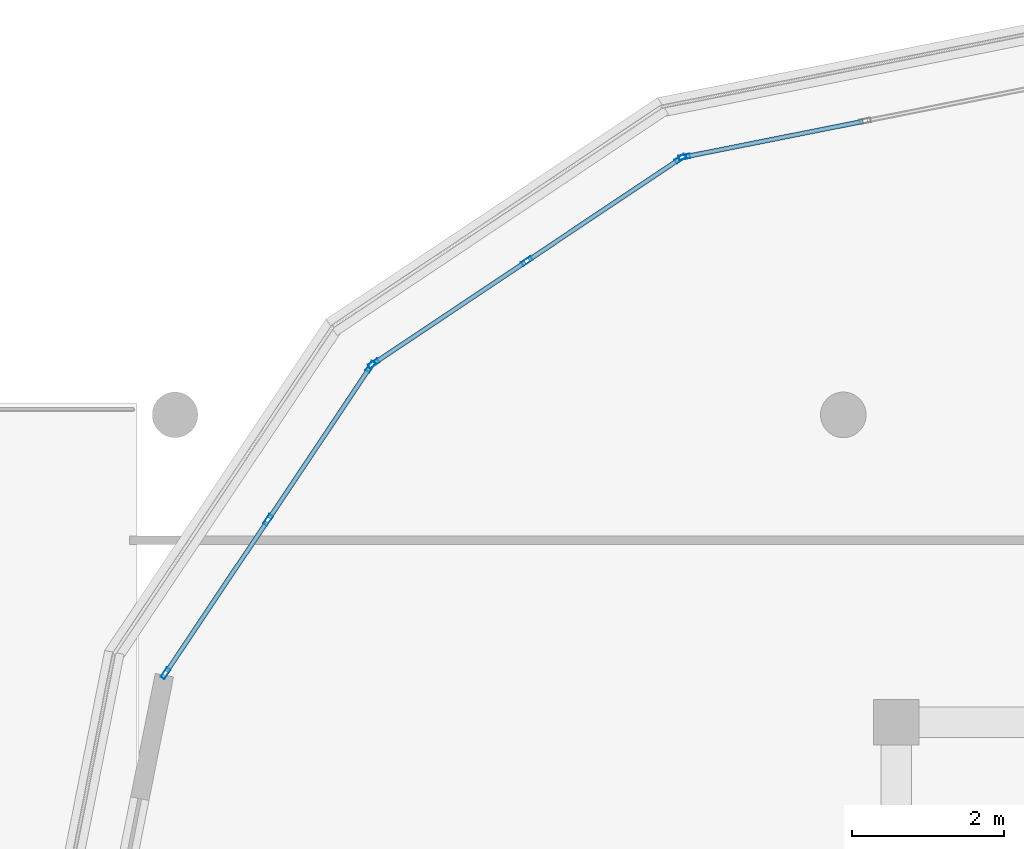
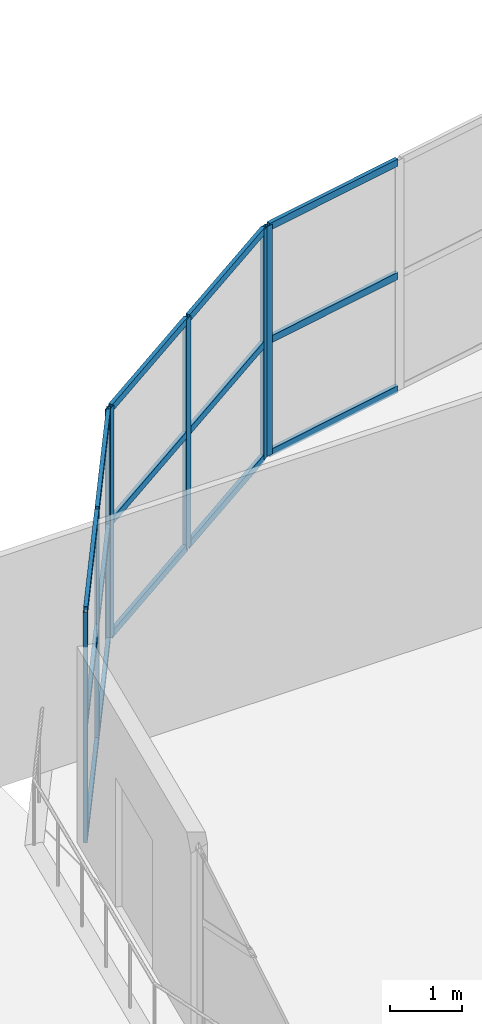
# One storey, part 7 of 50: 22 members, 3 elements without a shape of their own.
"""IFC4 building model written with IfcOpenShell, lengths in metres."""

from ifc_helpers import new_model, si_unit, direction, frame, origin, origin_2d, place, context, subcontext, project, spatial, hollow_rectangle, extrude, material, layer, layer_set, material_profile, profile_set, type_object, element, aggregate, save


model = new_model("IFC4")

# Units and contexts
model_context = context("Model", 3, precision=1e-05, world=origin(), true_north=direction((0.0, 1.0)))
body_context = subcontext(model_context, "Body", "Model", "MODEL_VIEW")
ifc_project = project(units=[si_unit("LENGTHUNIT", "METRE"), si_unit("AREAUNIT", "SQUARE_METRE"), si_unit("VOLUMEUNIT", "CUBIC_METRE"), si_unit("PLANEANGLEUNIT", "RADIAN"), si_unit("MASSUNIT", "GRAM", prefix="KILO")], contexts=[model_context])

# Site, building, storey
site_placement = place(None, origin())
site = spatial("IfcSite", under=ifc_project, at=site_placement, CompositionType="ELEMENT")
building_placement = place(site_placement, origin())
building = spatial("IfcBuilding", under=site, at=building_placement, Name="Zizhar Promenade General Hospital", CompositionType="ELEMENT")
storey_placement = place(building_placement, frame((0.0, 0.0, 30.60009765625)))
storey = spatial("IfcBuildingStorey", under=building, at=storey_placement, Name="L07", CompositionType="ELEMENT", Elevation=30.60009765625)

# Curtain wall, member
ifc_material_1 = material(Name="Anodised aluminium 6063-T6 and low-E glass", Category="aluminium")
ifc_layer = layer(ifc_material_1, 0.159912109375)
ifc_layer_set = layer_set([ifc_layer], Name="Anodised aluminium 6063-T6 and low-E glass")
curtain_wall_type = type_object("IfcCurtainWallType", Name="CW-WARD-ARC", PredefinedType="NOTDEFINED", material=ifc_layer_set)
curtain_wall_1_placement = place(storey_placement, origin())
curtain_wall_1 = element("IfcCurtainWall", 1, at=curtain_wall_1_placement, inside=storey, type_object=curtain_wall_type, Name="Ward Semicircular End Glazing L07-10", PredefinedType="NOTDEFINED")
ifc_material_2 = material(Name="Anodised aluminium 6063-T6", Category="aluminium")
ifc_material_profile_1 = material_profile(ifc_material_2, hollow_rectangle(XDim=0.06005859375, YDim=0.14990234375, WallThickness=0.00390625, at=origin_2d()))
ifc_profile_set_1 = profile_set([ifc_material_profile_1], Name="Anodised aluminium 6063-T6")
member_type_1 = type_object("IfcMemberType", Name="CWM-ALU-150x60", PredefinedType="MULLION", material=ifc_profile_set_1)
member_1_placement = place(storey_placement, frame((36.20751953125, 24.246826171875, 0.0), z_axis=(0.0, 0.0, 1.0), x_axis=(-0.195087259275, 0.980785889615, 0.0)))
member_1 = element("IfcMember", 2, at=member_1_placement, type_object=member_type_1, Name="CW-12 mullion 1", PredefinedType="MULLION", context=body_context, shape_type="SweptSolid", body=[
    extrude(hollow_rectangle(XDim=0.06005859375, YDim=0.14990234375, WallThickness=0.00390625, at=origin_2d()), origin(), (0.0, 0.0, 1.0), 3.89990234375),
])

# Curtain wall, members
curtain_wall_2_placement = place(storey_placement, origin())
curtain_wall_2 = element("IfcCurtainWall", 3, at=curtain_wall_2_placement, inside=storey, type_object=curtain_wall_type, Name="Ward Semicircular End Glazing L07-11", PredefinedType="NOTDEFINED")
member_2_placement = place(storey_placement, frame((32.115478515625, 21.526123046875, 0.0), z_axis=(0.0, 0.0, 1.0), x_axis=(-0.555582352095, 0.831461514468, 0.0)))
member_2 = element("IfcMember", 4, at=member_2_placement, type_object=member_type_1, Name="CW-12 mullion 1", PredefinedType="MULLION", context=body_context, shape_type="SweptSolid", body=[
    extrude(hollow_rectangle(XDim=0.06005859375, YDim=0.14990234375, WallThickness=0.00390625, at=origin_2d()), origin(), (0.0, 0.0, 1.0), 3.89990234375),
])
member_3_placement = place(storey_placement, frame((34.13427734375, 22.875244140625, 0.0), z_axis=(0.0, 0.0, 1.0), x_axis=(-0.555582352095, 0.831461514468, 0.0)))
member_3 = element("IfcMember", 5, at=member_3_placement, type_object=member_type_1, Name="CW-12 mullion 2", PredefinedType="MULLION", context=body_context, shape_type="SweptSolid", body=[
    extrude(hollow_rectangle(XDim=0.06005859375, YDim=0.14990234375, WallThickness=0.00390625, at=origin_2d()), origin(), (0.0, 0.0, 1.0), 3.89990234375),
])
member_4_placement = place(storey_placement, frame((36.1533203125, 24.22412109375, 0.0), z_axis=(0.0, 0.0, 1.0), x_axis=(-0.555582352095, 0.831461514468, 0.0)))
member_4 = element("IfcMember", 6, at=member_4_placement, type_object=member_type_1, Name="CW-12 mullion 3", PredefinedType="MULLION", context=body_context, shape_type="SweptSolid", body=[
    extrude(hollow_rectangle(XDim=0.06005859375, YDim=0.14990234375, WallThickness=0.00390625, at=origin_2d()), origin(), (0.0, 0.0, 1.0), 3.89990234375),
])

curtain_wall_3_placement = place(storey_placement, origin())
curtain_wall_3 = element("IfcCurtainWall", 7, at=curtain_wall_3_placement, inside=storey, type_object=curtain_wall_type, Name="Ward Semicircular End Glazing L07-12", PredefinedType="NOTDEFINED")
member_5_placement = place(storey_placement, frame((29.375732421875, 17.44677734375, 0.0), z_axis=(0.0, 0.0, 1.0), x_axis=(-0.831461514468, 0.555582352095, 0.0)))
member_5 = element("IfcMember", 8, at=member_5_placement, type_object=member_type_1, Name="CW-12 mullion 1", PredefinedType="MULLION", context=body_context, shape_type="SweptSolid", body=[
    extrude(hollow_rectangle(XDim=0.06005859375, YDim=0.14990234375, WallThickness=0.00390625, at=origin_2d()), origin(), (0.0, 0.0, 1.0), 3.89990234375),
])
member_6_placement = place(storey_placement, frame((30.724853515625, 19.465576171875, 0.0), z_axis=(0.0, 0.0, 1.0), x_axis=(-0.831461514468, 0.555582352095, 0.0)))
member_6 = element("IfcMember", 9, at=member_6_placement, type_object=member_type_1, Name="CW-12 mullion 2", PredefinedType="MULLION", context=body_context, shape_type="SweptSolid", body=[
    extrude(hollow_rectangle(XDim=0.06005859375, YDim=0.14990234375, WallThickness=0.00390625, at=origin_2d()), origin(), (0.0, 0.0, 1.0), 3.89990234375),
])
member_7_placement = place(storey_placement, frame((32.07373046875, 21.484619140625, 0.0), z_axis=(0.0, 0.0, 1.0), x_axis=(-0.831461514468, 0.555582352095, 0.0)))
member_7 = element("IfcMember", 10, at=member_7_placement, type_object=member_type_1, Name="CW-12 mullion 3", PredefinedType="MULLION", context=body_context, shape_type="SweptSolid", body=[
    extrude(hollow_rectangle(XDim=0.06005859375, YDim=0.14990234375, WallThickness=0.00390625, at=origin_2d()), origin(), (0.0, 0.0, 1.0), 3.89990234375),
])

# Member
ifc_material_3 = material(Name="Anodised aluminium 6063-T6", Category="aluminium")
ifc_material_profile_2 = material_profile(ifc_material_3, hollow_rectangle(XDim=0.06005859375, YDim=0.1201171875, WallThickness=0.00390625, at=origin_2d()))
ifc_profile_set_2 = profile_set([ifc_material_profile_2], Name="Anodised aluminium 6063-T6")
member_type_2 = type_object("IfcMemberType", Name="CWT-ALU-120x60", PredefinedType="USERDEFINED", material=ifc_profile_set_2)
member_8_placement = place(storey_placement, frame((36.237060546875, 24.252685546875, 0.02978515625), z_axis=(0.980790278018, 0.195065195628, 0.0), x_axis=(-0.195065195628, 0.980790278018, 0.0)))
member_8 = element("IfcMember", 11, at=member_8_placement, type_object=member_type_2, Name="CW-12 transom 1.1", ObjectType="TRANSOM", PredefinedType="USERDEFINED", context=body_context, shape_type="SweptSolid", body=[
    extrude(hollow_rectangle(XDim=0.06005859375, YDim=0.1201171875, WallThickness=0.00390625, at=origin_2d()), origin(), (0.0, 0.0, 1.0), 2.367919921875),
])

member_9_placement = place(storey_placement, frame((36.237060546875, 24.252685546875, 1.949951171875), z_axis=(0.980790278018, 0.195065195628, 0.0), x_axis=(-0.195065195628, 0.980790278018, 0.0)))
member_9 = element("IfcMember", 12, at=member_9_placement, type_object=member_type_2, Name="CW-12 transom 1.2", ObjectType="TRANSOM", PredefinedType="USERDEFINED", context=body_context, shape_type="SweptSolid", body=[
    extrude(hollow_rectangle(XDim=0.06005859375, YDim=0.1201171875, WallThickness=0.00390625, at=origin_2d()), origin(), (0.0, 0.0, 1.0), 2.367919921875),
])

member_10_placement = place(storey_placement, frame((36.237060546875, 24.252685546875, 3.869873046875), z_axis=(0.980790278018, 0.195065195628, 0.0), x_axis=(-0.195065195628, 0.980790278018, 0.0)))
member_10 = element("IfcMember", 13, at=member_10_placement, type_object=member_type_2, Name="CW-12 transom 1.3", ObjectType="TRANSOM", PredefinedType="USERDEFINED", context=body_context, shape_type="SweptSolid", body=[
    extrude(hollow_rectangle(XDim=0.06005859375, YDim=0.1201171875, WallThickness=0.00390625, at=origin_2d()), origin(), (0.0, 0.0, 1.0), 2.367919921875),
])

aggregate(curtain_wall_1, [member_1, member_8, member_9, member_10])

member_11_placement = place(storey_placement, frame((32.140380859375, 21.542724609375, 0.02978515625), z_axis=(0.831415354375, 0.555651427164, 0.0), x_axis=(-0.555651427164, 0.831415354375, 0.0)))
member_11 = element("IfcMember", 14, at=member_11_placement, type_object=member_type_2, Name="CW-12 transom 1.1", ObjectType="TRANSOM", PredefinedType="USERDEFINED", context=body_context, shape_type="SweptSolid", body=[
    extrude(hollow_rectangle(XDim=0.06005859375, YDim=0.1201171875, WallThickness=0.00390625, at=origin_2d()), origin(), (0.0, 0.0, 1.0), 2.3681640625),
])

member_12_placement = place(storey_placement, frame((32.140380859375, 21.542724609375, 1.949951171875), z_axis=(0.831415354375, 0.555651427164, 0.0), x_axis=(-0.555651427164, 0.831415354375, 0.0)))
member_12 = element("IfcMember", 15, at=member_12_placement, type_object=member_type_2, Name="CW-12 transom 1.2", ObjectType="TRANSOM", PredefinedType="USERDEFINED", context=body_context, shape_type="SweptSolid", body=[
    extrude(hollow_rectangle(XDim=0.06005859375, YDim=0.1201171875, WallThickness=0.00390625, at=origin_2d()), origin(), (0.0, 0.0, 1.0), 2.3681640625),
])

member_13_placement = place(storey_placement, frame((32.140380859375, 21.542724609375, 3.869873046875), z_axis=(0.831415354375, 0.555651427164, 0.0), x_axis=(-0.555651427164, 0.831415354375, 0.0)))
member_13 = element("IfcMember", 16, at=member_13_placement, type_object=member_type_2, Name="CW-12 transom 1.3", ObjectType="TRANSOM", PredefinedType="USERDEFINED", context=body_context, shape_type="SweptSolid", body=[
    extrude(hollow_rectangle(XDim=0.06005859375, YDim=0.1201171875, WallThickness=0.00390625, at=origin_2d()), origin(), (0.0, 0.0, 1.0), 2.3681640625),
])

member_14_placement = place(storey_placement, frame((34.1591796875, 22.891845703125, 0.02978515625), z_axis=(0.831494797197, 0.555532539312, 0.0), x_axis=(-0.555532539312, 0.831494797197, 0.0)))
member_14 = element("IfcMember", 17, at=member_14_placement, type_object=member_type_2, Name="CW-12 transom 2.1", ObjectType="TRANSOM", PredefinedType="USERDEFINED", context=body_context, shape_type="SweptSolid", body=[
    extrude(hollow_rectangle(XDim=0.06005859375, YDim=0.1201171875, WallThickness=0.00390625, at=origin_2d()), origin(), (0.0, 0.0, 1.0), 2.368408203125),
])

member_15_placement = place(storey_placement, frame((34.1591796875, 22.891845703125, 1.949951171875), z_axis=(0.831494797197, 0.555532539312, 0.0), x_axis=(-0.555532539312, 0.831494797197, 0.0)))
member_15 = element("IfcMember", 18, at=member_15_placement, type_object=member_type_2, Name="CW-12 transom 2.2", ObjectType="TRANSOM", PredefinedType="USERDEFINED", context=body_context, shape_type="SweptSolid", body=[
    extrude(hollow_rectangle(XDim=0.06005859375, YDim=0.1201171875, WallThickness=0.00390625, at=origin_2d()), origin(), (0.0, 0.0, 1.0), 2.368408203125),
])

member_16_placement = place(storey_placement, frame((34.1591796875, 22.891845703125, 3.869873046875), z_axis=(0.831494797197, 0.555532539312, 0.0), x_axis=(-0.555532539312, 0.831494797197, 0.0)))
member_16 = element("IfcMember", 19, at=member_16_placement, type_object=member_type_2, Name="CW-12 transom 2.3", ObjectType="TRANSOM", PredefinedType="USERDEFINED", context=body_context, shape_type="SweptSolid", body=[
    extrude(hollow_rectangle(XDim=0.06005859375, YDim=0.1201171875, WallThickness=0.00390625, at=origin_2d()), origin(), (0.0, 0.0, 1.0), 2.368408203125),
])

aggregate(curtain_wall_2, [member_2, member_3, member_4, member_11, member_12, member_13, member_14, member_15, member_16])

member_17_placement = place(storey_placement, frame((29.392333984375, 17.4716796875, 0.02978515625), z_axis=(0.555651427164, 0.831415354375, 0.0), x_axis=(-0.831415354375, 0.555651427164, 0.0)))
member_17 = element("IfcMember", 20, at=member_17_placement, type_object=member_type_2, Name="CW-12 transom 1.1", ObjectType="TRANSOM", PredefinedType="USERDEFINED", context=body_context, shape_type="SweptSolid", body=[
    extrude(hollow_rectangle(XDim=0.06005859375, YDim=0.1201171875, WallThickness=0.00390625, at=origin_2d()), origin(), (0.0, 0.0, 1.0), 2.3681640625),
])

member_18_placement = place(storey_placement, frame((29.392333984375, 17.4716796875, 1.949951171875), z_axis=(0.555651427164, 0.831415354375, 0.0), x_axis=(-0.831415354375, 0.555651427164, 0.0)))
member_18 = element("IfcMember", 21, at=member_18_placement, type_object=member_type_2, Name="CW-12 transom 1.2", ObjectType="TRANSOM", PredefinedType="USERDEFINED", context=body_context, shape_type="SweptSolid", body=[
    extrude(hollow_rectangle(XDim=0.06005859375, YDim=0.1201171875, WallThickness=0.00390625, at=origin_2d()), origin(), (0.0, 0.0, 1.0), 2.3681640625),
])

member_19_placement = place(storey_placement, frame((29.392333984375, 17.4716796875, 3.869873046875), z_axis=(0.555651427164, 0.831415354375, 0.0), x_axis=(-0.831415354375, 0.555651427164, 0.0)))
member_19 = element("IfcMember", 22, at=member_19_placement, type_object=member_type_2, Name="CW-12 transom 1.3", ObjectType="TRANSOM", PredefinedType="USERDEFINED", context=body_context, shape_type="SweptSolid", body=[
    extrude(hollow_rectangle(XDim=0.06005859375, YDim=0.1201171875, WallThickness=0.00390625, at=origin_2d()), origin(), (0.0, 0.0, 1.0), 2.3681640625),
])

member_20_placement = place(storey_placement, frame((30.741455078125, 19.490478515625, 0.02978515625), z_axis=(0.555532539312, 0.831494797197, 0.0), x_axis=(-0.831494797197, 0.555532539312, 0.0)))
member_20 = element("IfcMember", 23, at=member_20_placement, type_object=member_type_2, Name="CW-12 transom 2.1", ObjectType="TRANSOM", PredefinedType="USERDEFINED", context=body_context, shape_type="SweptSolid", body=[
    extrude(hollow_rectangle(XDim=0.06005859375, YDim=0.1201171875, WallThickness=0.00390625, at=origin_2d()), origin(), (0.0, 0.0, 1.0), 2.368408203125),
])

member_21_placement = place(storey_placement, frame((30.741455078125, 19.490478515625, 1.949951171875), z_axis=(0.555532539312, 0.831494797197, 0.0), x_axis=(-0.831494797197, 0.555532539312, 0.0)))
member_21 = element("IfcMember", 24, at=member_21_placement, type_object=member_type_2, Name="CW-12 transom 2.2", ObjectType="TRANSOM", PredefinedType="USERDEFINED", context=body_context, shape_type="SweptSolid", body=[
    extrude(hollow_rectangle(XDim=0.06005859375, YDim=0.1201171875, WallThickness=0.00390625, at=origin_2d()), origin(), (0.0, 0.0, 1.0), 2.368408203125),
])

member_22_placement = place(storey_placement, frame((30.741455078125, 19.490478515625, 3.869873046875), z_axis=(0.555532539312, 0.831494797197, 0.0), x_axis=(-0.831494797197, 0.555532539312, 0.0)))
member_22 = element("IfcMember", 25, at=member_22_placement, type_object=member_type_2, Name="CW-12 transom 2.3", ObjectType="TRANSOM", PredefinedType="USERDEFINED", context=body_context, shape_type="SweptSolid", body=[
    extrude(hollow_rectangle(XDim=0.06005859375, YDim=0.1201171875, WallThickness=0.00390625, at=origin_2d()), origin(), (0.0, 0.0, 1.0), 2.368408203125),
])

aggregate(curtain_wall_3, [member_5, member_6, member_7, member_17, member_18, member_19, member_20, member_21, member_22])

save(model, "model.ifc")
